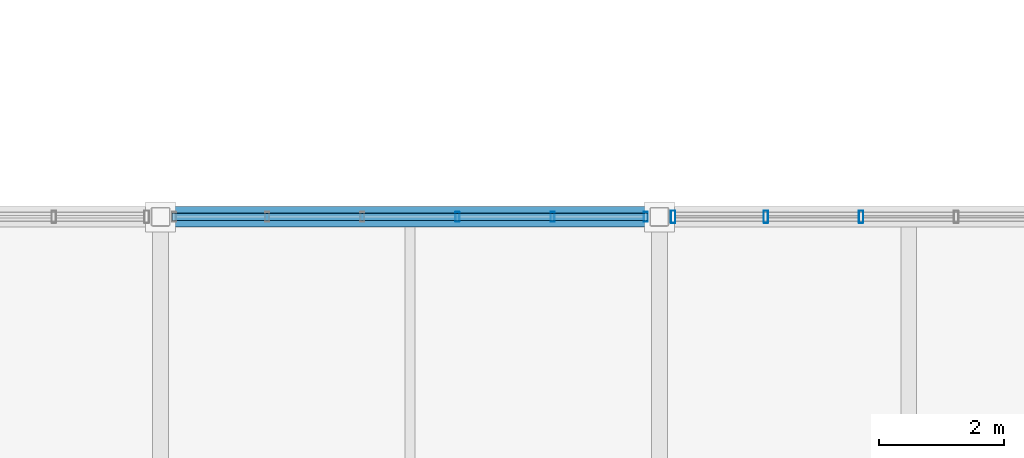
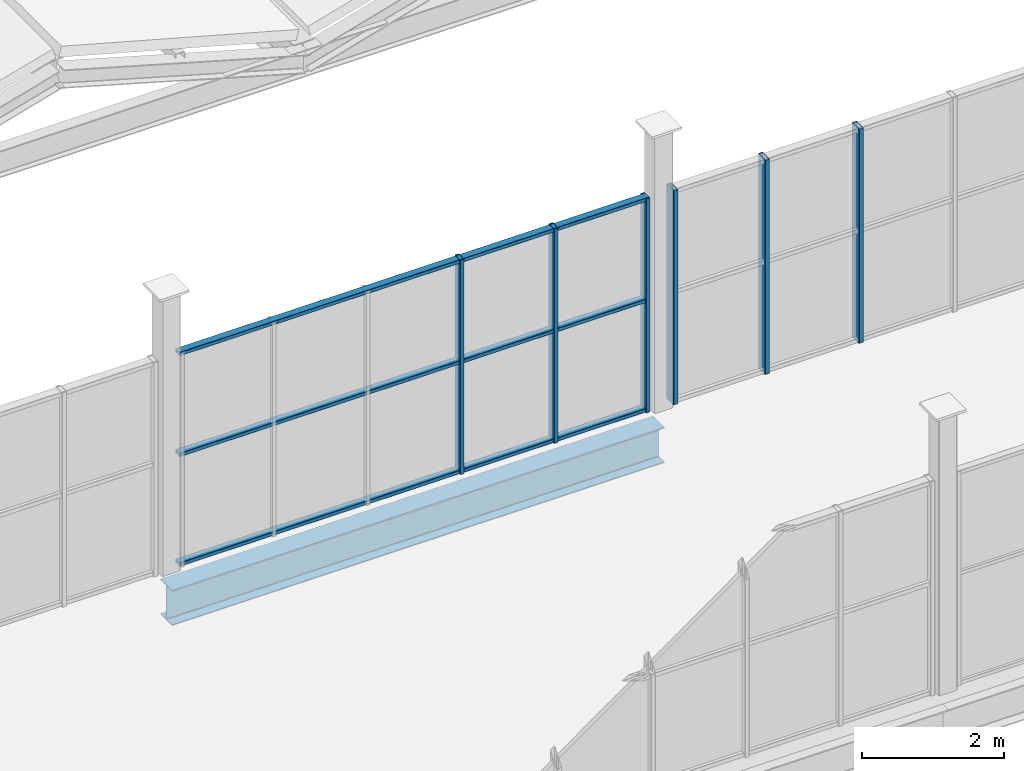
# One storey, part 54 of 114: 9 members, 1 beam, 2 elements without a shape of their own.
"""IFC4 building model written with IfcOpenShell, lengths in metres."""

from ifc_helpers import new_model, si_unit, direction, frame, origin, origin_2d, place, context, subcontext, project, spatial, hollow_rectangle, i_section, extrude, material, material_profile, profile_set, type_object, element, aggregate, save


model = new_model("IFC4")

# Units and contexts
model_context = context("Model", 3, precision=1e-05, world=origin(), true_north=direction((0.0, 1.0)))
body_context = subcontext(model_context, "Body", "Model", "MODEL_VIEW")
ifc_project = project(units=[si_unit("LENGTHUNIT", "METRE"), si_unit("AREAUNIT", "SQUARE_METRE"), si_unit("VOLUMEUNIT", "CUBIC_METRE"), si_unit("PLANEANGLEUNIT", "RADIAN"), si_unit("MASSUNIT", "GRAM", prefix="KILO")], contexts=[model_context])

# Site, building, storey
site_placement = place(None, origin())
site = spatial("IfcSite", under=ifc_project, at=site_placement, CompositionType="ELEMENT")
building_placement = place(site_placement, origin())
building = spatial("IfcBuilding", under=site, at=building_placement, Name="Verrall Gate Interchange", CompositionType="ELEMENT")
storey_placement = place(building_placement, frame((0.0, 0.0, 6.60009765625)))
storey = spatial("IfcBuildingStorey", under=building, at=storey_placement, Name="L02", CompositionType="ELEMENT", Elevation=6.60009765625)

# Beam
ifc_material_1 = material(Name="Structural Steel CSA G40.21 350WT Cat 4", Category="steel")
ifc_material_profile_1 = material_profile(ifc_material_1, i_section(OverallWidth=0.323974609375, OverallDepth=0.611083984375, WebThickness=0.0126953125, FlangeThickness=0.01904296875, FilletRadius=0.014892578125, at=origin_2d()), Name="W610x155")
ifc_profile_set_1 = profile_set([ifc_material_profile_1], Name="Structural Steel CSA G40.21 350WT Cat 4")
beam_type = type_object("IfcBeamType", Name="B-08 Structural Beam W610x155", PredefinedType="BEAM", material=ifc_profile_set_1)
beam_placement = place(storey_placement, frame((116.0, 56.0, -0.585693359375), z_axis=(1.0, 0.0, 0.0), x_axis=(0.0, 1.0, 0.0)))
element("IfcBeam", 1, at=beam_placement, inside=storey, type_object=beam_type, Name="L02 Girder BM-L02-1602 (B-08)", PredefinedType="BEAM", context=body_context, shape_type="SweptSolid", body=[
    extrude(i_section(OverallWidth=0.323974609375, OverallDepth=0.611083984375, WebThickness=0.0126953125, FlangeThickness=0.01904296875, FilletRadius=0.014892578125, at=origin_2d()), origin(), (0.0, 0.0, 1.0), 8.0),
])

# Curtain wall, members
ifc_material_2 = material(Name="Thermally Broken Anodized Aluminium Curtain Wall Framing", Category="aluminium")
curtain_wall_type = type_object("IfcCurtainWallType", Name="CW-21 Unitized Curtain Wall 7631x3680", PredefinedType="NOTDEFINED", material=ifc_material_2)
curtain_wall_1_placement = place(storey_placement, origin())
curtain_wall_1 = element("IfcCurtainWall", 2, at=curtain_wall_1_placement, inside=storey, type_object=curtain_wall_type, Name="L02 Unitized Curtain Wall CW-L02-074", PredefinedType="NOTDEFINED")
ifc_material_3 = material(Name="Thermally Broken Anodized Aluminium Curtain Wall Framing", Category="aluminium")
ifc_material_profile_2 = material_profile(ifc_material_3, hollow_rectangle(XDim=0.06494140625, YDim=0.159912109375, WallThickness=0.00390625, InnerFilletRadius=0.00390625, OuterFilletRadius=0.008056640625, at=origin_2d()), Name="CWM160x65x4")
ifc_profile_set_2 = profile_set([ifc_material_profile_2], Name="Thermally Broken Anodized Aluminium Curtain Wall Framing")
member_type_1 = type_object("IfcMemberType", Name="CM-01 Curtain Mullion CWM160x65x4", PredefinedType="MULLION", material=ifc_profile_set_2)
member_1_placement = place(storey_placement, frame((123.782958984375, 56.0, 0.0), z_axis=(0.0, 0.0, 1.0), x_axis=(-1.0, 0.0, 0.0)))
member_1 = element("IfcMember", 3, at=member_1_placement, type_object=member_type_1, Name="CW-L02-074 Mullion 1", PredefinedType="MULLION", context=body_context, shape_type="SweptSolid", body=[
    extrude(hollow_rectangle(XDim=0.06494140625, YDim=0.159912109375, WallThickness=0.00390625, InnerFilletRadius=0.00390625, OuterFilletRadius=0.008056640625, at=origin_2d()), origin(), (0.0, 0.0, 1.0), 3.679931640625),
])
member_2_placement = place(storey_placement, frame((122.289306640625, 56.0, 0.0), z_axis=(0.0, 0.0, 1.0), x_axis=(-1.0, 0.0, 0.0)))
member_2 = element("IfcMember", 4, at=member_2_placement, type_object=member_type_1, Name="CW-L02-074 Mullion 2", PredefinedType="MULLION", context=body_context, shape_type="SweptSolid", body=[
    extrude(hollow_rectangle(XDim=0.06494140625, YDim=0.159912109375, WallThickness=0.00390625, InnerFilletRadius=0.00390625, OuterFilletRadius=0.008056640625, at=origin_2d()), origin(), (0.0, 0.0, 1.0), 3.679931640625),
])
member_3_placement = place(storey_placement, frame((120.76318359375, 56.0, 0.0), z_axis=(0.0, 0.0, 1.0), x_axis=(-1.0, 0.0, 0.0)))
member_3 = element("IfcMember", 5, at=member_3_placement, type_object=member_type_1, Name="CW-L02-074 Mullion 3", PredefinedType="MULLION", context=body_context, shape_type="SweptSolid", body=[
    extrude(hollow_rectangle(XDim=0.06494140625, YDim=0.159912109375, WallThickness=0.00390625, InnerFilletRadius=0.00390625, OuterFilletRadius=0.008056640625, at=origin_2d()), origin(), (0.0, 0.0, 1.0), 3.679931640625),
])

curtain_wall_2_placement = place(storey_placement, origin())
curtain_wall_2 = element("IfcCurtainWall", 6, at=curtain_wall_2_placement, inside=storey, type_object=curtain_wall_type, Name="L02 Unitized Curtain Wall CW-L02-073", PredefinedType="NOTDEFINED")
ifc_material_4 = material(Name="Thermally Broken Anodized Aluminium Curtain Wall Framing", Category="aluminium")
ifc_material_profile_3 = material_profile(ifc_material_4, hollow_rectangle(XDim=0.074951171875, YDim=0.199951171875, WallThickness=0.0048828125, InnerFilletRadius=0.0048828125, OuterFilletRadius=0.010009765625, at=origin_2d()), Name="CWM200x75x5")
ifc_profile_set_3 = profile_set([ifc_material_profile_3], Name="Thermally Broken Anodized Aluminium Curtain Wall Framing")
member_type_2 = type_object("IfcMemberType", Name="CM-02 Curtain Mullion CWM200x75x5", PredefinedType="MULLION", material=ifc_profile_set_3)
member_4_placement = place(storey_placement, frame((127.236572265625, 56.0, 0.0), z_axis=(0.0, 0.0, 1.0), x_axis=(-1.0, 0.0, 0.0)))
member_4 = element("IfcMember", 7, at=member_4_placement, type_object=member_type_2, Name="CW-L02-073 Mullion 4", PredefinedType="MULLION", context=body_context, shape_type="SweptSolid", body=[
    extrude(hollow_rectangle(XDim=0.074951171875, YDim=0.199951171875, WallThickness=0.0048828125, InnerFilletRadius=0.0048828125, OuterFilletRadius=0.010009765625, at=origin_2d()), origin(), (0.0, 0.0, 1.0), 3.679931640625),
])
member_5_placement = place(storey_placement, frame((125.71044921875, 56.0, 0.0), z_axis=(0.0, 0.0, 1.0), x_axis=(-1.0, 0.0, 0.0)))
member_5 = element("IfcMember", 8, at=member_5_placement, type_object=member_type_2, Name="CW-L02-073 Mullion 5", PredefinedType="MULLION", context=body_context, shape_type="SweptSolid", body=[
    extrude(hollow_rectangle(XDim=0.074951171875, YDim=0.199951171875, WallThickness=0.0048828125, InnerFilletRadius=0.0048828125, OuterFilletRadius=0.010009765625, at=origin_2d()), origin(), (0.0, 0.0, 1.0), 3.679931640625),
])
member_6_placement = place(storey_placement, frame((124.221923828125, 56.0, 0.0), z_axis=(0.0, 0.0, 1.0), x_axis=(-1.0, 0.0, 0.0)))
member_6 = element("IfcMember", 9, at=member_6_placement, type_object=member_type_2, Name="CW-L02-073 Mullion 6", PredefinedType="MULLION", context=body_context, shape_type="SweptSolid", body=[
    extrude(hollow_rectangle(XDim=0.074951171875, YDim=0.199951171875, WallThickness=0.0048828125, InnerFilletRadius=0.0048828125, OuterFilletRadius=0.010009765625, at=origin_2d()), origin(), (0.0, 0.0, 1.0), 3.679931640625),
])
aggregate(curtain_wall_2, [member_4, member_5, member_6])

# Member
ifc_material_5 = material(Name="Thermally Broken Anodized Aluminium Curtain Wall Framing", Category="aluminium")
ifc_material_profile_4 = material_profile(ifc_material_5, hollow_rectangle(XDim=0.1201171875, YDim=0.06494140625, WallThickness=0.00390625, InnerFilletRadius=0.00390625, OuterFilletRadius=0.008056640625, at=origin_2d()), Name="CWT120x65x4")
ifc_profile_set_4 = profile_set([ifc_material_profile_4], Name="Thermally Broken Anodized Aluminium Curtain Wall Framing")
member_type_3 = type_object("IfcMemberType", Name="CT-01 Curtain Transom CWT120x65x4", PredefinedType="USERDEFINED", material=ifc_profile_set_4)
member_7_placement = place(storey_placement, frame((123.8154296875, 56.0, 0.032470703125), z_axis=(-1.0, 0.0, 0.0), x_axis=(0.0, -1.0, 0.0)))
member_7 = element("IfcMember", 10, at=member_7_placement, type_object=member_type_3, Name="CW-L02-074 Transom 1", ObjectType="TRANSOM", PredefinedType="USERDEFINED", context=body_context, shape_type="SweptSolid", body=[
    extrude(hollow_rectangle(XDim=0.1201171875, YDim=0.06494140625, WallThickness=0.00390625, InnerFilletRadius=0.00390625, OuterFilletRadius=0.008056640625, at=origin_2d()), origin(), (0.0, 0.0, 1.0), 7.630859375),
])

member_8_placement = place(storey_placement, frame((123.8154296875, 56.0, 1.91357421875), z_axis=(-1.0, 0.0, 0.0), x_axis=(0.0, -1.0, 0.0)))
member_8 = element("IfcMember", 11, at=member_8_placement, type_object=member_type_3, Name="CW-L02-074 Transom 2", ObjectType="TRANSOM", PredefinedType="USERDEFINED", context=body_context, shape_type="SweptSolid", body=[
    extrude(hollow_rectangle(XDim=0.1201171875, YDim=0.06494140625, WallThickness=0.00390625, InnerFilletRadius=0.00390625, OuterFilletRadius=0.008056640625, at=origin_2d()), origin(), (0.0, 0.0, 1.0), 7.630859375),
])

member_9_placement = place(storey_placement, frame((123.8154296875, 56.0, 3.6474609375), z_axis=(-1.0, 0.0, 0.0), x_axis=(0.0, -1.0, 0.0)))
member_9 = element("IfcMember", 12, at=member_9_placement, type_object=member_type_3, Name="CW-L02-074 Transom 3", ObjectType="TRANSOM", PredefinedType="USERDEFINED", context=body_context, shape_type="SweptSolid", body=[
    extrude(hollow_rectangle(XDim=0.1201171875, YDim=0.06494140625, WallThickness=0.00390625, InnerFilletRadius=0.00390625, OuterFilletRadius=0.008056640625, at=origin_2d()), origin(), (0.0, 0.0, 1.0), 7.630859375),
])

aggregate(curtain_wall_1, [member_1, member_2, member_3, member_7, member_8, member_9])

save(model, "model.ifc")
